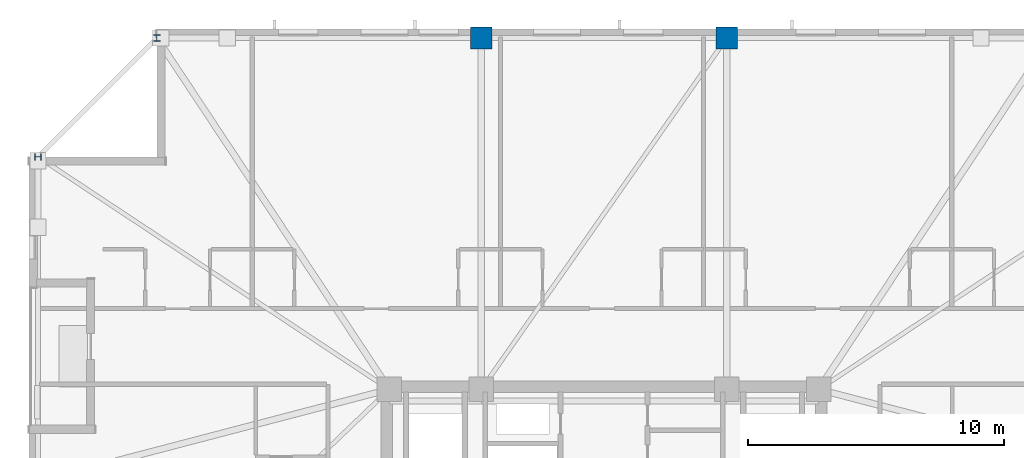
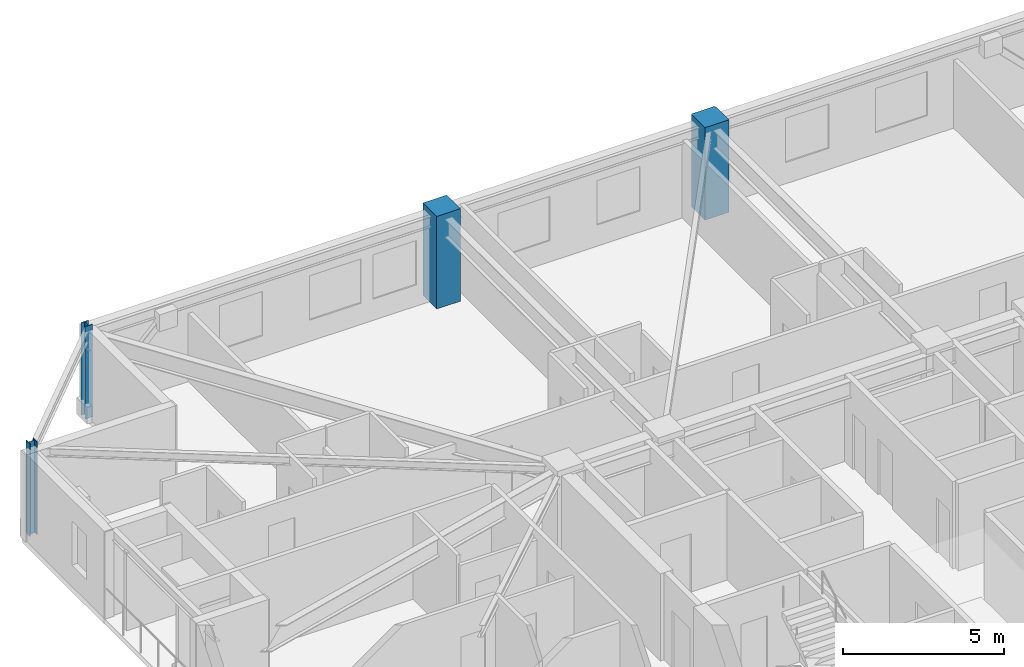
# One storey, part 4 of 17: 4 columns.
"""IFC4 building model written with IfcOpenShell, lengths in metres."""

from ifc_helpers import new_model, si_unit, direction, frame, origin, origin_2d, place, context, subcontext, project, spatial, rectangle, i_section, extrude, material, material_profile, profile_set, type_object, element, save


model = new_model("IFC4")

# Units and contexts
model_context = context("Model", 3, precision=1e-05, world=origin(), true_north=direction((0.0, 1.0)))
body_context = subcontext(model_context, "Body", "Model", "MODEL_VIEW")
ifc_project = project(units=[si_unit("LENGTHUNIT", "METRE"), si_unit("AREAUNIT", "SQUARE_METRE"), si_unit("VOLUMEUNIT", "CUBIC_METRE"), si_unit("PLANEANGLEUNIT", "RADIAN"), si_unit("MASSUNIT", "GRAM", prefix="KILO")], contexts=[model_context])

# Site, building, storey
site_placement = place(None, origin())
site = spatial("IfcSite", under=ifc_project, at=site_placement, CompositionType="ELEMENT")
building_placement = place(site_placement, origin())
building = spatial("IfcBuilding", under=site, at=building_placement, Name="Cairnveth Concourse Tower", CompositionType="ELEMENT")
storey_placement = place(building_placement, frame((0.0, 0.0, 234.0)))
storey = spatial("IfcBuildingStorey", under=building, at=storey_placement, Name="L64", CompositionType="ELEMENT", Elevation=234.0)

# Columns
ifc_material_1 = material(Name="Concrete N65 (65 MPa)", Category="concrete")
ifc_material_profile_1 = material_profile(ifc_material_1, rectangle(XDim=0.85009765625, YDim=0.85009765625, at=origin_2d()), Name="RC-COL-850x850")
ifc_profile_set_1 = profile_set([ifc_material_profile_1], Name="Concrete N65 (65 MPa)")
column_type_1 = type_object("IfcColumnType", Name="PERIMETER PIER COLUMN 850X850", PredefinedType="COLUMN", material=ifc_profile_set_1)
for number, where, z_axis, x_axis, name in (
    (1, (56.800048828125, 61.14990234375, 0.0), (0.0, 0.0, 1.0), (1.0, 0.0, 0.0), "Column P-N2 L64"),
    (2, (47.199951171875, 61.14990234375, 0.0), (0.0, 0.0, 1.0), (1.0, 0.0, 0.0), "Column P-N3 L64"),
):
    element("IfcColumn", number, at=place(storey_placement, frame(where, z_axis=z_axis, x_axis=x_axis)), inside=storey, type_object=column_type_1, Name=name, PredefinedType="COLUMN", context=body_context, shape_type="SweptSolid", body=[
        extrude(rectangle(XDim=0.85009765625, YDim=0.85009765625, at=origin_2d()), origin(), (0.0, 0.0, 1.0), 3.5),
    ])
ifc_material_2 = material(Name="Steel Grade 350", Category="steel")
ifc_material_profile_2 = material_profile(ifc_material_2, i_section(OverallWidth=0.256103515625, OverallDepth=0.260009765625, WebThickness=0.010498046875, FlangeThickness=0.017333984375, FilletRadius=0.012939453125, at=origin_2d()), Name="250UC89.5")
ifc_profile_set_2 = profile_set([ifc_material_profile_2], Name="Steel Grade 350")
column_type_2 = type_object("IfcColumnType", Name="UNIVERSAL STEEL COLUMN 250UC89.5", PredefinedType="COLUMN", material=ifc_profile_set_2)
for number, where, z_axis, x_axis, name in (
    (3, (34.5, 61.14990234375, 0.0), (0.0, 0.0, 1.0), (1.0, 0.0, 0.0), "Column P-N4 L64"),
    (4, (29.85009765625, 56.5, 0.0), (0.0, 0.0, 1.0), (0.0, 1.0, 0.0), "Column P-W1 L64"),
):
    element("IfcColumn", number, at=place(storey_placement, frame(where, z_axis=z_axis, x_axis=x_axis)), inside=storey, type_object=column_type_2, Name=name, PredefinedType="COLUMN", context=body_context, shape_type="SweptSolid", body=[
        extrude(i_section(OverallWidth=0.256103515625, OverallDepth=0.260009765625, WebThickness=0.010498046875, FlangeThickness=0.017333984375, FilletRadius=0.012939453125, at=origin_2d()), origin(), (0.0, 0.0, 1.0), 3.5),
    ])

save(model, "model.ifc")
